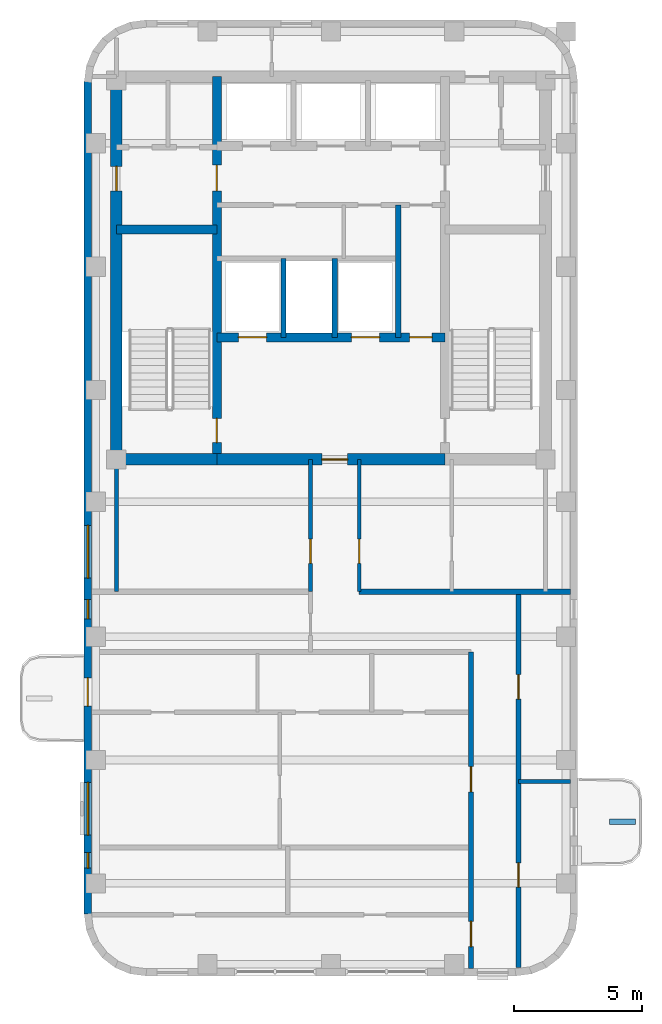
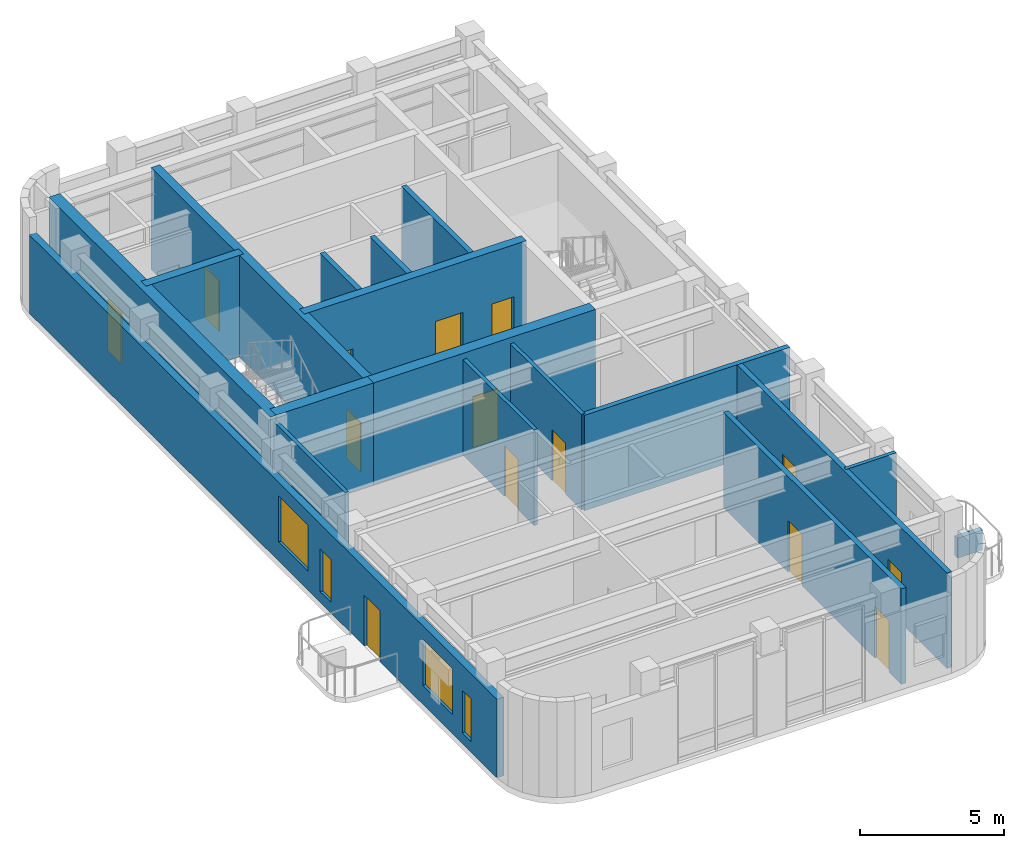
# One storey, part 3 of 6: 18 walls, 14 doors, 4 windows, 18 openings.
"""IFC4 building model written with IfcOpenShell, lengths in metres."""

from ifc_helpers import new_model, si_unit, direction, frame, frame_2d, origin, place, context, subcontext, project, spatial, rectangle, extrude, material, layer, layer_set, type_object, element, fill, save


model = new_model("IFC4")

# Units and contexts
model_context = context("Model", 3, precision=1e-05, world=origin(), true_north=direction((0.0, 1.0)))
body_context = subcontext(model_context, "Body", "Model", "MODEL_VIEW")
ifc_project = project(units=[si_unit("LENGTHUNIT", "METRE"), si_unit("AREAUNIT", "SQUARE_METRE"), si_unit("VOLUMEUNIT", "CUBIC_METRE"), si_unit("PLANEANGLEUNIT", "RADIAN"), si_unit("MASSUNIT", "GRAM", prefix="KILO")], contexts=[model_context])

# Site, building, storey
site_placement = place(None, origin())
site = spatial("IfcSite", under=ifc_project, at=site_placement, CompositionType="ELEMENT")
building_placement = place(site_placement, origin())
building = spatial("IfcBuilding", under=site, at=building_placement, Name="Orvandelia Arch Residences", CompositionType="ELEMENT")
storey_placement = place(building_placement, frame((0.0, 0.0, 278.5)))
storey = spatial("IfcBuildingStorey", under=building, at=storey_placement, Name="L72", CompositionType="ELEMENT", Elevation=278.5)

# Wall, openings, doors
ifc_material_1 = material(Name="Concrete C50/60", Category="concrete")
ifc_layer_1 = layer(ifc_material_1, 0.35009765625, Name="Concrete C50/60", Category="concrete")
ifc_layer_set_1 = layer_set([ifc_layer_1], Name="Concrete C50/60")
wall_type_1 = type_object("IfcWallType", Name="WL-CORE-350", PredefinedType="SHEAR", material=ifc_layer_set_1)
wall_1_placement = place(storey_placement, frame((9.9599609375, 30.89990234375, 0.0), z_axis=(0.0, 0.0, 1.0), x_axis=(0.0, 1.0, 0.0)))
wall_1 = element("IfcWall", 1, at=wall_1_placement, inside=storey, type_object=wall_type_1, Name="Core Shear Wall L72-WEB1", PredefinedType="SHEAR", context=body_context, shape_type="SweptSolid", body=[
    extrude(rectangle(XDim=14.900146484375, YDim=0.35009765625, at=frame_2d((7.4501953125, 0.0))), origin(), (0.0, 0.0, 1.0), 4.300048828125),
])
opening_1_placement = place(wall_1_placement, frame((0.64990234375, 0.0, 0.0)))
opening_1 = element("IfcOpeningElement", 2, at=opening_1_placement, cuts=wall_1, Name="Opening D7", PredefinedType="OPENING", context=body_context, shape_type="SweptSolid", body=[
    extrude(rectangle(XDim=0.949951171875, YDim=2.10009765625, at=frame_2d((0.47509765625, 1.050048828125))), frame((0.0, 0.18505859375, 0.0), z_axis=(0.0, -1.0, 0.0), x_axis=(1.0, 0.0, 0.0)), (0.0, 0.0, 1.0), 0.3701171875),
])
opening_2_placement = place(wall_1_placement, frame((10.449951171875, 0.0, 0.0)))
opening_2 = element("IfcOpeningElement", 3, at=opening_2_placement, cuts=wall_1, Name="Opening D6", PredefinedType="OPENING", context=body_context, shape_type="SweptSolid", body=[
    extrude(rectangle(XDim=1.0, YDim=2.14990234375, at=frame_2d((0.5, 1.074951171875))), frame((0.0, 0.18505859375, 0.0), z_axis=(0.0, -1.0, 0.0), x_axis=(1.0, 0.0, 0.0)), (0.0, 0.0, 1.0), 0.3701171875),
])
ifc_material_2 = material(Name="Smokeproof Painted Steel Fire Door", Category="steel")
door_type_1 = type_object("IfcDoorType", Name="DR-FD60-1000", OperationType="NOTDEFINED", PredefinedType="DOOR", material=ifc_material_2)
door_1_placement = place(opening_2_placement, origin())
door_1 = element("IfcDoor", 4, at=door_1_placement, inside=storey, type_object=door_type_1, Name="High-Rise Lift Hall West Vestibule Door L72", OperationType="SINGLE_SWING_LEFT", OverallHeight=2.14990234375, OverallWidth=1.0, PredefinedType="DOOR", context=body_context, shape_type="SweptSolid", body=[
    extrude(rectangle(XDim=1.0, YDim=2.14990234375, at=frame_2d((0.5, 1.074951171875))), frame((0.0, 0.02490234375, 0.0), z_axis=(0.0, -1.0, 0.0), x_axis=(1.0, 0.0, 0.0)), (0.0, 0.0, 1.0), 0.050048828125),
])
fill(opening_2, door_1)
ifc_material_3 = material(Name="Pressurised Stairwell Fire Door")
door_type_2 = type_object("IfcDoorType", Name="DR-STAIR-950", OperationType="NOTDEFINED", PredefinedType="DOOR", material=ifc_material_3)
door_2_placement = place(opening_1_placement, origin())
door_2 = element("IfcDoor", 5, at=door_2_placement, inside=storey, type_object=door_type_2, Name="Stairwell ST-1 Fire Door L72", OperationType="SINGLE_SWING_LEFT", OverallHeight=2.10009765625, OverallWidth=0.949951171875, PredefinedType="DOOR", context=body_context, shape_type="SweptSolid", body=[
    extrude(rectangle(XDim=0.949951171875, YDim=2.10009765625, at=frame_2d((0.47509765625, 1.050048828125))), frame((0.0, 0.02490234375, 0.0), z_axis=(0.0, -1.0, 0.0), x_axis=(1.0, 0.0, 0.0)), (0.0, 0.0, 1.0), 0.050048828125),
])
fill(opening_1, door_2)

# Wall
wall_2_placement = place(storey_placement, frame((6.050048828125, 39.85009765625, 0.0), z_axis=(0.0, 0.0, 1.0), x_axis=(1.0, 0.0, 0.0)))
element("IfcWall", 6, at=wall_2_placement, inside=storey, type_object=wall_type_1, Name="Core Shear Wall L72-HZ1", PredefinedType="SHEAR", context=body_context, shape_type="SweptSolid", body=[
    extrude(rectangle(XDim=3.909912109375, YDim=0.35009765625, at=frame_2d((1.955078125, 0.0))), origin(), (0.0, 0.0, 1.0), 4.300048828125),
])

# Wall, openings, doors
wall_3_placement = place(storey_placement, frame((9.9599609375, 35.64990234375, 0.0), z_axis=(0.0, 0.0, 1.0), x_axis=(1.0, 0.0, 0.0)))
wall_3 = element("IfcWall", 7, at=wall_3_placement, inside=storey, type_object=wall_type_1, Name="Core Shear Wall L72-HZ3", PredefinedType="SHEAR", context=body_context, shape_type="SweptSolid", body=[
    extrude(rectangle(XDim=8.880126953125, YDim=0.35009765625, at=frame_2d((4.43994140625, 0.0))), origin(), (0.0, 0.0, 1.0), 4.300048828125),
])
opening_3_placement = place(wall_3_placement, frame((0.840087890625, 0.0, 0.0)))
opening_3 = element("IfcOpeningElement", 8, at=opening_3_placement, cuts=wall_3, Name="Opening FLD", PredefinedType="OPENING", context=body_context, shape_type="SweptSolid", body=[
    extrude(rectangle(XDim=1.10009765625, YDim=2.14990234375, at=frame_2d((0.550048828125, 1.074951171875))), frame((0.0, 0.18505859375, 0.0), z_axis=(0.0, -1.0, 0.0), x_axis=(1.0, 0.0, 0.0)), (0.0, 0.0, 1.0), 0.3701171875),
])
opening_4_placement = place(wall_3_placement, frame((5.239990234375, 0.0, 0.0)))
opening_4 = element("IfcOpeningElement", 9, at=opening_4_placement, cuts=wall_3, Name="Opening FLD", PredefinedType="OPENING", context=body_context, shape_type="SweptSolid", body=[
    extrude(rectangle(XDim=1.10009765625, YDim=2.14990234375, at=frame_2d((0.550048828125, 1.074951171875))), frame((0.0, 0.18505859375, 0.0), z_axis=(0.0, -1.0, 0.0), x_axis=(1.0, 0.0, 0.0)), (0.0, 0.0, 1.0), 0.3701171875),
])
opening_5_placement = place(wall_3_placement, frame((7.5, 0.0, 0.0)))
opening_5 = element("IfcOpeningElement", 10, at=opening_5_placement, cuts=wall_3, Name="Opening D5", PredefinedType="OPENING", context=body_context, shape_type="SweptSolid", body=[
    extrude(rectangle(XDim=0.8798828125, YDim=2.10009765625, at=frame_2d((0.43994140625, 1.050048828125))), frame((0.0, 0.18505859375, 0.0), z_axis=(0.0, -1.0, 0.0), x_axis=(1.0, 0.0, 0.0)), (0.0, 0.0, 1.0), 0.3701171875),
])
ifc_material_4 = material(Name="Firefighting Lift Stainless Sliding Door")
door_type_3 = type_object("IfcDoorType", Name="DR-FLFT-1100", OperationType="NOTDEFINED", PredefinedType="DOOR", material=ifc_material_4)
door_3_placement = place(opening_3_placement, origin())
door_3 = element("IfcDoor", 11, at=door_3_placement, inside=storey, type_object=door_type_3, Name="Firefighting Lift Landing Door FLD-FL1-L72", OperationType="SLIDING_TO_LEFT", OverallHeight=2.14990234375, OverallWidth=1.10009765625, PredefinedType="DOOR", context=body_context, shape_type="SweptSolid", body=[
    extrude(rectangle(XDim=1.10009765625, YDim=2.14990234375, at=frame_2d((0.550048828125, 1.074951171875))), frame((0.0, 0.02490234375, 0.0), z_axis=(0.0, -1.0, 0.0), x_axis=(1.0, 0.0, 0.0)), (0.0, 0.0, 1.0), 0.050048828125),
])
fill(opening_3, door_3)
door_4_placement = place(opening_4_placement, origin())
door_4 = element("IfcDoor", 12, at=door_4_placement, inside=storey, type_object=door_type_3, Name="Firefighting Lift Landing Door FLD-FL2-L72", OperationType="SLIDING_TO_RIGHT", OverallHeight=2.14990234375, OverallWidth=1.10009765625, PredefinedType="DOOR", context=body_context, shape_type="SweptSolid", body=[
    extrude(rectangle(XDim=1.10009765625, YDim=2.14990234375, at=frame_2d((0.550048828125, 1.074951171875))), frame((0.0, 0.02490234375, 0.0), z_axis=(0.0, -1.0, 0.0), x_axis=(1.0, 0.0, 0.0)), (0.0, 0.0, 1.0), 0.050048828125),
])
fill(opening_4, door_4)
ifc_material_5 = material(Name="Painted Galvanised Steel Service Door", Category="steel")
door_type_4 = type_object("IfcDoorType", Name="DR-SRV-880", OperationType="NOTDEFINED", PredefinedType="DOOR", material=ifc_material_5)
door_5_placement = place(opening_5_placement, origin())
door_5 = element("IfcDoor", 13, at=door_5_placement, inside=storey, type_object=door_type_4, Name="Core Stairway Passage South Fire Door L72", OperationType="SINGLE_SWING_LEFT", OverallHeight=2.10009765625, OverallWidth=0.8798828125, PredefinedType="DOOR", context=body_context, shape_type="SweptSolid", body=[
    extrude(rectangle(XDim=0.8798828125, YDim=2.10009765625, at=frame_2d((0.43994140625, 1.050048828125))), frame((0.0, 0.02490234375, 0.0), z_axis=(0.0, -1.0, 0.0), x_axis=(1.0, 0.0, 0.0)), (0.0, 0.0, 1.0), 0.050048828125),
])
fill(opening_5, door_5)

# Wall, opening, door
ifc_layer_2 = layer(ifc_material_1, 0.449951171875, Name="Concrete C50/60", Category="concrete")
ifc_layer_set_2 = layer_set([ifc_layer_2], Name="Concrete C50/60")
wall_type_2 = type_object("IfcWallType", Name="WL-CORE-450", PredefinedType="SHEAR", material=ifc_layer_set_2)
wall_4_placement = place(storey_placement, frame((6.050048828125, 30.675048828125, 0.0), z_axis=(0.0, 0.0, 1.0), x_axis=(0.0, 1.0, 0.0)))
wall_4 = element("IfcWall", 14, at=wall_4_placement, inside=storey, type_object=wall_type_2, Name="Core Shear Wall L72-W", PredefinedType="SHEAR", context=body_context, shape_type="SweptSolid", body=[
    extrude(rectangle(XDim=15.349853515625, YDim=0.449951171875, at=frame_2d((7.6748046875, 0.0))), origin(), (0.0, 0.0, 1.0), 4.300048828125),
])
opening_6_placement = place(wall_4_placement, frame((10.675048828125, 0.0, 0.0)))
opening_6 = element("IfcOpeningElement", 15, at=opening_6_placement, cuts=wall_4, Name="Opening D2", PredefinedType="OPENING", context=body_context, shape_type="SweptSolid", body=[
    extrude(rectangle(XDim=0.949951171875, YDim=2.14990234375, at=frame_2d((0.47509765625, 1.074951171875))), frame((0.0, 0.23486328125, 0.0), z_axis=(0.0, -1.0, 0.0), x_axis=(1.0, 0.0, 0.0)), (0.0, 0.0, 1.0), 0.469970703125),
])
ifc_material_6 = material(Name="Solid-Core Timber Interior Fire Door", Category="wood")
door_type_5 = type_object("IfcDoorType", Name="DR-APT-950", OperationType="NOTDEFINED", PredefinedType="DOOR", material=ifc_material_6)
door_6_placement = place(opening_6_placement, origin())
door_6 = element("IfcDoor", 16, at=door_6_placement, inside=storey, type_object=door_type_5, Name="West Viewing Study Door L72", OperationType="SINGLE_SWING_RIGHT", OverallHeight=2.14990234375, OverallWidth=0.949951171875, PredefinedType="DOOR", context=body_context, shape_type="SweptSolid", body=[
    extrude(rectangle(XDim=0.949951171875, YDim=2.14990234375, at=frame_2d((0.47509765625, 1.074951171875))), frame((0.0, 0.02490234375, 0.0), z_axis=(0.0, -1.0, 0.0), x_axis=(1.0, 0.0, 0.0)), (0.0, 0.0, 1.0), 0.050048828125),
])
fill(opening_6, door_6)

# Wall
wall_5_placement = place(storey_placement, frame((6.050048828125, 30.89990234375, 0.0), z_axis=(0.0, 0.0, 1.0), x_axis=(1.0, 0.0, 0.0)))
element("IfcWall", 17, at=wall_5_placement, inside=storey, type_object=wall_type_2, Name="Core Shear Wall L72-SW", PredefinedType="SHEAR", context=body_context, shape_type="SweptSolid", body=[
    extrude(rectangle(XDim=3.909912109375, YDim=0.449951171875, at=frame_2d((1.955078125, 0.0))), origin(), (0.0, 0.0, 1.0), 4.300048828125),
])

# Wall, opening, door
wall_6_placement = place(storey_placement, frame((9.9599609375, 30.89990234375, 0.0), z_axis=(0.0, 0.0, 1.0), x_axis=(1.0, 0.0, 0.0)))
wall_6 = element("IfcWall", 18, at=wall_6_placement, inside=storey, type_object=wall_type_2, Name="Core Shear Wall L72-SM", PredefinedType="SHEAR", context=body_context, shape_type="SweptSolid", body=[
    extrude(rectangle(XDim=8.880126953125, YDim=0.449951171875, at=frame_2d((4.43994140625, 0.0))), origin(), (0.0, 0.0, 1.0), 4.300048828125),
])
opening_7_placement = place(wall_6_placement, frame((4.090087890625, 0.0, 0.0)))
opening_7 = element("IfcOpeningElement", 19, at=opening_7_placement, cuts=wall_6, Name="Opening D6", PredefinedType="OPENING", context=body_context, shape_type="SweptSolid", body=[
    extrude(rectangle(XDim=1.0, YDim=2.14990234375, at=frame_2d((0.5, 1.074951171875))), frame((0.0, 0.23486328125, 0.0), z_axis=(0.0, -1.0, 0.0), x_axis=(1.0, 0.0, 0.0)), (0.0, 0.0, 1.0), 0.469970703125),
])
door_7_placement = place(opening_7_placement, origin())
door_7 = element("IfcDoor", 20, at=door_7_placement, inside=storey, type_object=door_type_1, Name="Firefighting Lobby Smokeproof Door L72", OperationType="SINGLE_SWING_LEFT", OverallHeight=2.14990234375, OverallWidth=1.0, PredefinedType="DOOR", context=body_context, shape_type="SweptSolid", body=[
    extrude(rectangle(XDim=1.0, YDim=2.14990234375, at=frame_2d((0.5, 1.074951171875))), frame((0.0, 0.02490234375, 0.0), z_axis=(0.0, -1.0, 0.0), x_axis=(1.0, 0.0, 0.0)), (0.0, 0.0, 1.0), 0.050048828125),
])
fill(opening_7, door_7)

# Wall, openings, doors
ifc_material_7 = material(Name="Fire-Rated Corridor Partition")
ifc_layer_3 = layer(ifc_material_7, 0.199951171875, Name="Fire-Rated Corridor Partition")
ifc_layer_set_3 = layer_set([ifc_layer_3], Name="Fire-Rated Corridor Partition")
wall_type_3 = type_object("IfcWallType", Name="WL-CORR-200", PredefinedType="PARTITIONING", material=ifc_layer_set_3)
wall_7_placement = place(storey_placement, frame((19.85009765625, 11.080078125, 0.0), z_axis=(0.0, 0.0, 1.0), x_axis=(0.0, 1.0, 0.0)))
wall_7 = element("IfcWall", 21, at=wall_7_placement, inside=storey, type_object=wall_type_3, Name="Interior Partition Wall WL-L72-WC-W", PredefinedType="PARTITIONING", context=body_context, shape_type="SweptSolid", body=[
    extrude(rectangle(XDim=12.31982421875, YDim=0.199951171875, at=frame_2d((6.159912109375, 0.0))), origin(), (0.0, 0.0, 1.0), 4.0400390625),
])
opening_8_placement = place(wall_7_placement, frame((0.860107421875, 0.0, 0.0)))
opening_8 = element("IfcOpeningElement", 22, at=opening_8_placement, cuts=wall_7, Name="Opening D1", PredefinedType="OPENING", context=body_context, shape_type="SweptSolid", body=[
    extrude(rectangle(XDim=0.97998046875, YDim=2.179931640625, at=frame_2d((0.489990234375, 1.08984375))), frame((0.0, 0.10986328125, 0.0), z_axis=(0.0, -1.0, 0.0), x_axis=(1.0, 0.0, 0.0)), (0.0, 0.0, 1.0), 0.219970703125),
])
opening_9_placement = place(wall_7_placement, frame((6.8798828125, 0.0, 0.0)))
opening_9 = element("IfcOpeningElement", 23, at=opening_9_placement, cuts=wall_7, Name="Opening D1", PredefinedType="OPENING", context=body_context, shape_type="SweptSolid", body=[
    extrude(rectangle(XDim=0.97998046875, YDim=2.179931640625, at=frame_2d((0.489990234375, 1.08984375))), frame((0.0, 0.10986328125, 0.0), z_axis=(0.0, -1.0, 0.0), x_axis=(1.0, 0.0, 0.0)), (0.0, 0.0, 1.0), 0.219970703125),
])
ifc_material_8 = material(Name="Solid-Core Timber Acoustic Fire Door", Category="wood")
door_type_6 = type_object("IfcDoorType", Name="DR-ENT-980", OperationType="NOTDEFINED", PredefinedType="DOOR", material=ifc_material_8)
door_8_placement = place(opening_8_placement, origin())
door_8 = element("IfcDoor", 24, at=door_8_placement, inside=storey, type_object=door_type_6, Name="Unit L72-01 Entrance Door", OperationType="SINGLE_SWING_LEFT", OverallHeight=2.179931640625, OverallWidth=0.97998046875, PredefinedType="DOOR", context=body_context, shape_type="SweptSolid", body=[
    extrude(rectangle(XDim=0.97998046875, YDim=2.179931640625, at=frame_2d((0.489990234375, 1.08984375))), frame((0.0, 0.02490234375, 0.0), z_axis=(0.0, -1.0, 0.0), x_axis=(1.0, 0.0, 0.0)), (0.0, 0.0, 1.0), 0.050048828125),
])
fill(opening_8, door_8)
door_9_placement = place(opening_9_placement, origin())
door_9 = element("IfcDoor", 25, at=door_9_placement, inside=storey, type_object=door_type_6, Name="Unit L72-02 Entrance Door", OperationType="SINGLE_SWING_RIGHT", OverallHeight=2.179931640625, OverallWidth=0.97998046875, PredefinedType="DOOR", context=body_context, shape_type="SweptSolid", body=[
    extrude(rectangle(XDim=0.97998046875, YDim=2.179931640625, at=frame_2d((0.489990234375, 1.08984375))), frame((0.0, 0.02490234375, 0.0), z_axis=(0.0, -1.0, 0.0), x_axis=(1.0, 0.0, 0.0)), (0.0, 0.0, 1.0), 0.050048828125),
])
fill(opening_9, door_9)

wall_8_placement = place(storey_placement, frame((21.699951171875, 11.1201171875, 0.0), z_axis=(0.0, 0.0, 1.0), x_axis=(0.0, 1.0, 0.0)))
wall_8 = element("IfcWall", 26, at=wall_8_placement, inside=storey, type_object=wall_type_3, Name="Interior Partition Wall WL-L72-WC-E", PredefinedType="PARTITIONING", context=body_context, shape_type="SweptSolid", body=[
    extrude(rectangle(XDim=14.6298828125, YDim=0.199951171875, at=frame_2d((7.31494140625, 0.0))), origin(), (0.0, 0.0, 1.0), 4.0400390625),
])
opening_10_placement = place(wall_8_placement, frame((3.1298828125, 0.0, 0.0)))
opening_10 = element("IfcOpeningElement", 27, at=opening_10_placement, cuts=wall_8, Name="Opening D2", PredefinedType="OPENING", context=body_context, shape_type="SweptSolid", body=[
    extrude(rectangle(XDim=0.949951171875, YDim=2.14990234375, at=frame_2d((0.47509765625, 1.074951171875))), frame((0.0, 0.10986328125, 0.0), z_axis=(0.0, -1.0, 0.0), x_axis=(1.0, 0.0, 0.0)), (0.0, 0.0, 1.0), 0.219970703125),
])
opening_11_placement = place(wall_8_placement, frame((10.449951171875, 0.0, 0.0)))
opening_11 = element("IfcOpeningElement", 28, at=opening_11_placement, cuts=wall_8, Name="Opening D2", PredefinedType="OPENING", context=body_context, shape_type="SweptSolid", body=[
    extrude(rectangle(XDim=0.949951171875, YDim=2.14990234375, at=frame_2d((0.47509765625, 1.074951171875))), frame((0.0, 0.10986328125, 0.0), z_axis=(0.0, -1.0, 0.0), x_axis=(1.0, 0.0, 0.0)), (0.0, 0.0, 1.0), 0.219970703125),
])
door_10_placement = place(opening_10_placement, origin())
door_10 = element("IfcDoor", 29, at=door_10_placement, inside=storey, type_object=door_type_5, Name="DR-L72-EGALV1", OperationType="SINGLE_SWING_LEFT", OverallHeight=2.14990234375, OverallWidth=0.949951171875, PredefinedType="DOOR", context=body_context, shape_type="SweptSolid", body=[
    extrude(rectangle(XDim=0.949951171875, YDim=2.14990234375, at=frame_2d((0.47509765625, 1.074951171875))), frame((0.0, 0.02490234375, 0.0), z_axis=(0.0, -1.0, 0.0), x_axis=(1.0, 0.0, 0.0)), (0.0, 0.0, 1.0), 0.050048828125),
])
fill(opening_10, door_10)
door_11_placement = place(opening_11_placement, origin())
door_11 = element("IfcDoor", 30, at=door_11_placement, inside=storey, type_object=door_type_5, Name="DR-L72-EGLDY1", OperationType="SINGLE_SWING_RIGHT", OverallHeight=2.14990234375, OverallWidth=0.949951171875, PredefinedType="DOOR", context=body_context, shape_type="SweptSolid", body=[
    extrude(rectangle(XDim=0.949951171875, YDim=2.14990234375, at=frame_2d((0.47509765625, 1.074951171875))), frame((0.0, 0.02490234375, 0.0), z_axis=(0.0, -1.0, 0.0), x_axis=(1.0, 0.0, 0.0)), (0.0, 0.0, 1.0), 0.050048828125),
])
fill(opening_11, door_11)

# Wall
wall_9_placement = place(storey_placement, frame((15.5, 25.75, 0.0), z_axis=(0.0, 0.0, 1.0), x_axis=(1.0, 0.0, 0.0)))
element("IfcWall", 31, at=wall_9_placement, inside=storey, type_object=wall_type_3, Name="Interior Partition Wall WL-L72-WLNK-NE", PredefinedType="PARTITIONING", context=body_context, shape_type="SweptSolid", body=[
    extrude(rectangle(XDim=8.219970703125, YDim=0.199951171875, at=frame_2d((4.10986328125, 0.0))), origin(), (0.0, 0.0, 1.0), 4.0400390625),
])

# Wall, openings, door, windows
ifc_material_9 = material(Name="Precast concrete C40/50", Category="concrete")
ifc_layer_4 = layer(ifc_material_9, 0.280029296875, Name="Precast concrete C40/50", Category="concrete")
ifc_layer_set_4 = layer_set([ifc_layer_4], Name="Precast concrete C40/50")
wall_type_4 = type_object("IfcWallType", Name="WL-EXT-STONE-280", PredefinedType="STANDARD", material=ifc_layer_set_4)
wall_10_placement = place(storey_placement, frame((4.93994140625, 13.199951171875, 0.0), z_axis=(0.0, 0.0, 1.0), x_axis=(0.0, 1.0, 0.0)))
wall_10 = element("IfcWall", 32, at=wall_10_placement, inside=storey, type_object=wall_type_4, Name="Coral-Limestone Precast Facade Wall L72-030", PredefinedType="STANDARD", context=body_context, shape_type="SweptSolid", body=[
    extrude(rectangle(XDim=32.400146484375, YDim=0.280029296875, at=frame_2d((16.2001953125, 0.0))), origin(), (0.0, 0.0, 1.0), 3.320068359375),
])
opening_12_placement = place(wall_10_placement, frame((8.10009765625, 0.0, 0.0)))
opening_12 = element("IfcOpeningElement", 33, at=opening_12_placement, cuts=wall_10, Name="Opening BD1", PredefinedType="OPENING", context=body_context, shape_type="SweptSolid", body=[
    extrude(rectangle(XDim=1.10009765625, YDim=2.14990234375, at=frame_2d((0.550048828125, 1.074951171875))), frame((0.0, 0.14990234375, 0.0), z_axis=(0.0, -1.0, 0.0), x_axis=(1.0, 0.0, 0.0)), (0.0, 0.0, 1.0), 0.300048828125),
])
opening_13_placement = place(wall_10_placement, frame((1.797607421875, 0.0, 0.449951171875)))
opening_13 = element("IfcOpeningElement", 34, at=opening_13_placement, cuts=wall_10, Name="Opening W12", PredefinedType="OPENING", context=body_context, shape_type="SweptSolid", body=[
    extrude(rectangle(XDim=0.60009765625, YDim=1.800048828125, at=frame_2d((0.300048828125, 0.89990234375))), frame((0.0, 0.14990234375, 0.0), z_axis=(0.0, -1.0, 0.0), x_axis=(1.0, 0.0, 0.0)), (0.0, 0.0, 1.0), 0.300048828125),
])
opening_14_placement = place(wall_10_placement, frame((3.077392578125, 0.0, 0.800048828125)))
opening_14 = element("IfcOpeningElement", 35, at=opening_14_placement, cuts=wall_10, Name="Opening W8", PredefinedType="OPENING", context=body_context, shape_type="SweptSolid", body=[
    extrude(rectangle(XDim=2.050048828125, YDim=1.949951171875, at=frame_2d((1.02490234375, 0.97509765625))), frame((0.0, 0.14990234375, 0.0), z_axis=(0.0, -1.0, 0.0), x_axis=(1.0, 0.0, 0.0)), (0.0, 0.0, 1.0), 0.300048828125),
])
opening_15_placement = place(wall_10_placement, frame((13.08251953125, 0.0, 0.800048828125)))
opening_15 = element("IfcOpeningElement", 36, at=opening_15_placement, cuts=wall_10, Name="Opening W8", PredefinedType="OPENING", context=body_context, shape_type="SweptSolid", body=[
    extrude(rectangle(XDim=2.050048828125, YDim=1.949951171875, at=frame_2d((1.02490234375, 0.97509765625))), frame((0.0, 0.14990234375, 0.0), z_axis=(0.0, -1.0, 0.0), x_axis=(1.0, 0.0, 0.0)), (0.0, 0.0, 1.0), 0.300048828125),
])
opening_16_placement = place(wall_10_placement, frame((11.492431640625, 0.0, 0.449951171875)))
opening_16 = element("IfcOpeningElement", 37, at=opening_16_placement, cuts=wall_10, Name="Opening W11", PredefinedType="OPENING", context=body_context, shape_type="SweptSolid", body=[
    extrude(rectangle(XDim=0.75, YDim=1.800048828125, at=frame_2d((0.375, 0.89990234375))), frame((0.0, 0.14990234375, 0.0), z_axis=(0.0, -1.0, 0.0), x_axis=(1.0, 0.0, 0.0)), (0.0, 0.0, 1.0), 0.300048828125),
])
ifc_material_10 = material(Name="Thermally Broken Aluminium Glazed Door", Category="aluminium")
door_type_7 = type_object("IfcDoorType", Name="DR-BAL-GLAZ-1100", OperationType="NOTDEFINED", PredefinedType="DOOR", material=ifc_material_10)
door_12_placement = place(opening_12_placement, origin())
door_12 = element("IfcDoor", 38, at=door_12_placement, inside=storey, type_object=door_type_7, Name="Tree Balcony Glazed Door BAL-L72-W1", OperationType="SINGLE_SWING_RIGHT", OverallHeight=2.14990234375, OverallWidth=1.10009765625, PredefinedType="DOOR", context=body_context, shape_type="SweptSolid", body=[
    extrude(rectangle(XDim=1.10009765625, YDim=2.14990234375, at=frame_2d((0.550048828125, 1.074951171875))), frame((0.0, 0.02490234375, 0.0), z_axis=(0.0, -1.0, 0.0), x_axis=(1.0, 0.0, 0.0)), (0.0, 0.0, 1.0), 0.050048828125),
])
fill(opening_12, door_12)
ifc_material_11 = material(Name="Tempered Low-E Insulated Glazing", Category="glass")
window_type_1 = type_object("IfcWindowType", Name="WIN-BED-0750x1800", PartitioningType="SINGLE_PANEL", PredefinedType="WINDOW", material=ifc_material_11)
window_1_placement = place(opening_16_placement, origin())
window_1 = element("IfcWindow", 39, at=window_1_placement, inside=storey, type_object=window_type_1, Name="Recessed Punched Window L72-011", OverallHeight=1.800048828125, OverallWidth=0.75, PartitioningType="SINGLE_PANEL", PredefinedType="WINDOW", context=body_context, shape_type="SweptSolid", body=[
    extrude(rectangle(XDim=0.75, YDim=1.800048828125, at=frame_2d((0.375, 0.89990234375))), frame((0.0, 0.030029296875, 0.0), z_axis=(0.0, -1.0, 0.0), x_axis=(1.0, 0.0, 0.0)), (0.0, 0.0, 1.0), 0.06005859375),
])
fill(opening_16, window_1)
window_type_2 = type_object("IfcWindowType", Name="WIN-LAN-0600x1800", PartitioningType="SINGLE_PANEL", PredefinedType="WINDOW", material=ifc_material_11)
window_2_placement = place(opening_13_placement, origin())
window_2 = element("IfcWindow", 40, at=window_2_placement, inside=storey, type_object=window_type_2, Name="Recessed Punched Window L72-008", OverallHeight=1.800048828125, OverallWidth=0.60009765625, PartitioningType="SINGLE_PANEL", PredefinedType="WINDOW", context=body_context, shape_type="SweptSolid", body=[
    extrude(rectangle(XDim=0.60009765625, YDim=1.800048828125, at=frame_2d((0.300048828125, 0.89990234375))), frame((0.0, 0.030029296875, 0.0), z_axis=(0.0, -1.0, 0.0), x_axis=(1.0, 0.0, 0.0)), (0.0, 0.0, 1.0), 0.06005859375),
])
fill(opening_13, window_2)
window_type_3 = type_object("IfcWindowType", Name="WIN-UPP-2050x1950", PartitioningType="SINGLE_PANEL", PredefinedType="WINDOW", material=ifc_material_11)
window_3_placement = place(opening_14_placement, origin())
window_3 = element("IfcWindow", 41, at=window_3_placement, inside=storey, type_object=window_type_3, Name="Recessed Punched Window L72-009", OverallHeight=1.949951171875, OverallWidth=2.050048828125, PartitioningType="SINGLE_PANEL", PredefinedType="WINDOW", context=body_context, shape_type="SweptSolid", body=[
    extrude(rectangle(XDim=2.050048828125, YDim=1.949951171875, at=frame_2d((1.02490234375, 0.97509765625))), frame((0.0, 0.030029296875, 0.0), z_axis=(0.0, -1.0, 0.0), x_axis=(1.0, 0.0, 0.0)), (0.0, 0.0, 1.0), 0.06005859375),
])
fill(opening_14, window_3)
window_4_placement = place(opening_15_placement, origin())
window_4 = element("IfcWindow", 42, at=window_4_placement, inside=storey, type_object=window_type_3, Name="Recessed Punched Window L72-010", OverallHeight=1.949951171875, OverallWidth=2.050048828125, PartitioningType="SINGLE_PANEL", PredefinedType="WINDOW", context=body_context, shape_type="SweptSolid", body=[
    extrude(rectangle(XDim=2.050048828125, YDim=1.949951171875, at=frame_2d((1.02490234375, 0.97509765625))), frame((0.0, 0.030029296875, 0.0), z_axis=(0.0, -1.0, 0.0), x_axis=(1.0, 0.0, 0.0)), (0.0, 0.0, 1.0), 0.06005859375),
])
fill(opening_15, window_4)

# Wall, opening, door
ifc_material_12 = material(Name="Acoustic Gypsum Stud Partition")
ifc_layer_5 = layer(ifc_material_12, 0.14990234375, Name="Acoustic Gypsum Stud Partition")
ifc_layer_set_5 = layer_set([ifc_layer_5], Name="Acoustic Gypsum Stud Partition")
wall_type_5 = type_object("IfcWallType", Name="WL-PART-150", PredefinedType="PARTITIONING", material=ifc_layer_set_5)
wall_11_placement = place(storey_placement, frame((13.60009765625, 25.75, 0.0), z_axis=(0.0, 0.0, 1.0), x_axis=(0.0, 1.0, 0.0)))
wall_11 = element("IfcWall", 43, at=wall_11_placement, inside=storey, type_object=wall_type_5, Name="Interior Partition Wall WL-L72-HI-W1", PredefinedType="PARTITIONING", context=body_context, shape_type="SweptSolid", body=[
    extrude(rectangle(XDim=5.14990234375, YDim=0.14990234375, at=frame_2d((2.574951171875, 0.0))), origin(), (0.0, 0.0, 1.0), 4.0400390625),
])
opening_17_placement = place(wall_11_placement, frame((1.10009765625, 0.0, 0.0)))
opening_17 = element("IfcOpeningElement", 44, at=opening_17_placement, cuts=wall_11, Name="Opening D2", PredefinedType="OPENING", context=body_context, shape_type="SweptSolid", body=[
    extrude(rectangle(XDim=0.949951171875, YDim=2.14990234375, at=frame_2d((0.47509765625, 1.074951171875))), frame((0.0, 0.0849609375, 0.0), z_axis=(0.0, -1.0, 0.0), x_axis=(1.0, 0.0, 0.0)), (0.0, 0.0, 1.0), 0.169921875),
])
door_13_placement = place(opening_17_placement, origin())
door_13 = element("IfcDoor", 45, at=door_13_placement, inside=storey, type_object=door_type_5, Name="DR-L72-HIR1", OperationType="SINGLE_SWING_LEFT", OverallHeight=2.14990234375, OverallWidth=0.949951171875, PredefinedType="DOOR", context=body_context, shape_type="SweptSolid", body=[
    extrude(rectangle(XDim=0.949951171875, YDim=2.14990234375, at=frame_2d((0.47509765625, 1.074951171875))), frame((0.0, 0.02490234375, 0.0), z_axis=(0.0, -1.0, 0.0), x_axis=(1.0, 0.0, 0.0)), (0.0, 0.0, 1.0), 0.050048828125),
])
fill(opening_17, door_13)

wall_12_placement = place(storey_placement, frame((15.5, 25.75, 0.0), z_axis=(0.0, 0.0, 1.0), x_axis=(0.0, 1.0, 0.0)))
wall_12 = element("IfcWall", 46, at=wall_12_placement, inside=storey, type_object=wall_type_5, Name="Interior Partition Wall WL-L72-HI-W2", PredefinedType="PARTITIONING", context=body_context, shape_type="SweptSolid", body=[
    extrude(rectangle(XDim=5.14990234375, YDim=0.14990234375, at=frame_2d((2.574951171875, 0.0))), origin(), (0.0, 0.0, 1.0), 4.0400390625),
])
opening_18_placement = place(wall_12_placement, frame((1.10009765625, 0.0, 0.0)))
opening_18 = element("IfcOpeningElement", 47, at=opening_18_placement, cuts=wall_12, Name="Opening D2", PredefinedType="OPENING", context=body_context, shape_type="SweptSolid", body=[
    extrude(rectangle(XDim=0.949951171875, YDim=2.14990234375, at=frame_2d((0.47509765625, 1.074951171875))), frame((0.0, 0.0849609375, 0.0), z_axis=(0.0, -1.0, 0.0), x_axis=(1.0, 0.0, 0.0)), (0.0, 0.0, 1.0), 0.169921875),
])
door_14_placement = place(opening_18_placement, origin())
door_14 = element("IfcDoor", 48, at=door_14_placement, inside=storey, type_object=door_type_5, Name="DR-L72-HIR2A", OperationType="SINGLE_SWING_RIGHT", OverallHeight=2.14990234375, OverallWidth=0.949951171875, PredefinedType="DOOR", context=body_context, shape_type="SweptSolid", body=[
    extrude(rectangle(XDim=0.949951171875, YDim=2.14990234375, at=frame_2d((0.47509765625, 1.074951171875))), frame((0.0, 0.02490234375, 0.0), z_axis=(0.0, -1.0, 0.0), x_axis=(1.0, 0.0, 0.0)), (0.0, 0.0, 1.0), 0.050048828125),
])
fill(opening_18, door_14)

# Walls
wall_13_placement = place(storey_placement, frame((6.050048828125, 25.75, 0.0), z_axis=(0.0, 0.0, 1.0), x_axis=(0.0, 1.0, 0.0)))
element("IfcWall", 49, at=wall_13_placement, inside=storey, type_object=wall_type_5, Name="Interior Partition Wall WL-L72-HI-WW", PredefinedType="PARTITIONING", context=body_context, shape_type="SweptSolid", body=[
    extrude(rectangle(XDim=5.14990234375, YDim=0.14990234375, at=frame_2d((2.574951171875, 0.0))), origin(), (0.0, 0.0, 1.0), 4.0400390625),
])
wall_14_placement = place(storey_placement, frame((21.699951171875, 18.360107421875, 0.0), z_axis=(0.0, 0.0, 1.0), x_axis=(1.0, 0.0, 0.0)))
element("IfcWall", 50, at=wall_14_placement, inside=storey, type_object=wall_type_5, Name="Interior Partition Wall WL-L72-EGDIV-1", PredefinedType="PARTITIONING", context=body_context, shape_type="SweptSolid", body=[
    extrude(rectangle(XDim=2.02001953125, YDim=0.14990234375, at=frame_2d((1.010009765625, 0.0))), origin(), (0.0, 0.0, 1.0), 4.0400390625),
])
ifc_layer_6 = layer(ifc_material_9, 0.199951171875, Name="Precast concrete C40/50", Category="concrete")
ifc_layer_set_6 = layer_set([ifc_layer_6], Name="Precast concrete C40/50")
wall_type_6 = type_object("IfcWallType", Name="WL-PLANTER-200", PredefinedType="MOVABLE", material=ifc_layer_set_6)
wall_15_placement = place(storey_placement, frame((25.25, 16.800048828125, 0.0), z_axis=(0.0, 0.0, 1.0), x_axis=(1.0, 0.0, 0.0)))
element("IfcWall", 51, at=wall_15_placement, inside=storey, type_object=wall_type_6, Name="Balcony Precast Tree Planter BAL-L72-W2", PredefinedType="MOVABLE", context=body_context, shape_type="SweptSolid", body=[
    extrude(rectangle(XDim=1.0, YDim=0.199951171875, at=frame_2d((0.5, 0.0))), origin(), (0.0, 0.0, 1.0), 0.85009765625),
])
ifc_material_13 = material(Name="Fire-Rated Shaft Enclosure Wall")
ifc_layer_7 = layer(ifc_material_13, 0.199951171875, Name="Fire-Rated Shaft Enclosure Wall")
ifc_layer_set_7 = layer_set([ifc_layer_7], Name="Fire-Rated Shaft Enclosure Wall")
wall_type_7 = type_object("IfcWallType", Name="WL-SHAFT-200", PredefinedType="POLYGONAL", material=ifc_layer_set_7)
for number, where, z_axis, x_axis, name in (
    (52, (12.550048828125, 35.64990234375, 0.0), (0.0, 0.0, 1.0), (0.0, 1.0, 0.0), "Interior Partition Wall WL-L72-FLM1"),
    (53, (14.550048828125, 35.64990234375, 0.0), (0.0, 0.0, 1.0), (0.0, 1.0, 0.0), "Interior Partition Wall WL-L72-FLM2"),
):
    element("IfcWall", number, at=place(storey_placement, frame(where, z_axis=z_axis, x_axis=x_axis)), inside=storey, type_object=wall_type_7, Name=name, PredefinedType="POLYGONAL", context=body_context, shape_type="SweptSolid", body=[
        extrude(rectangle(XDim=3.070068359375, YDim=0.199951171875, at=frame_2d((1.53515625, 0.0))), origin(), (0.0, 0.0, 1.0), 4.0400390625),
    ])
wall_16_placement = place(storey_placement, frame((17.02001953125, 35.64990234375, 0.0), z_axis=(0.0, 0.0, 1.0), x_axis=(0.0, 1.0, 0.0)))
element("IfcWall", 54, at=wall_16_placement, inside=storey, type_object=wall_type_7, Name="Interior Partition Wall WL-L72-FLM3", PredefinedType="POLYGONAL", context=body_context, shape_type="SweptSolid", body=[
    extrude(rectangle(XDim=5.150146484375, YDim=0.199951171875, at=frame_2d((2.5751953125, 0.0))), origin(), (0.0, 0.0, 1.0), 4.0400390625),
])

save(model, "model.ifc")
